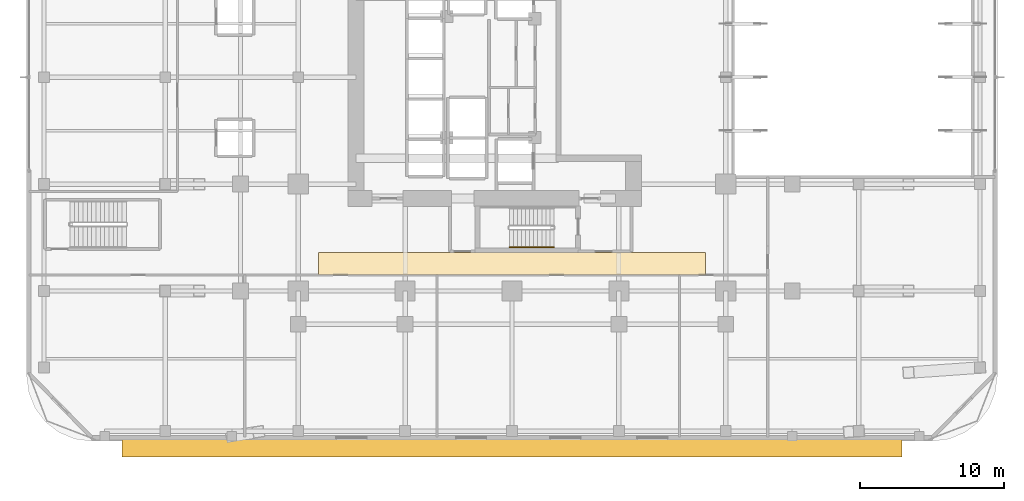
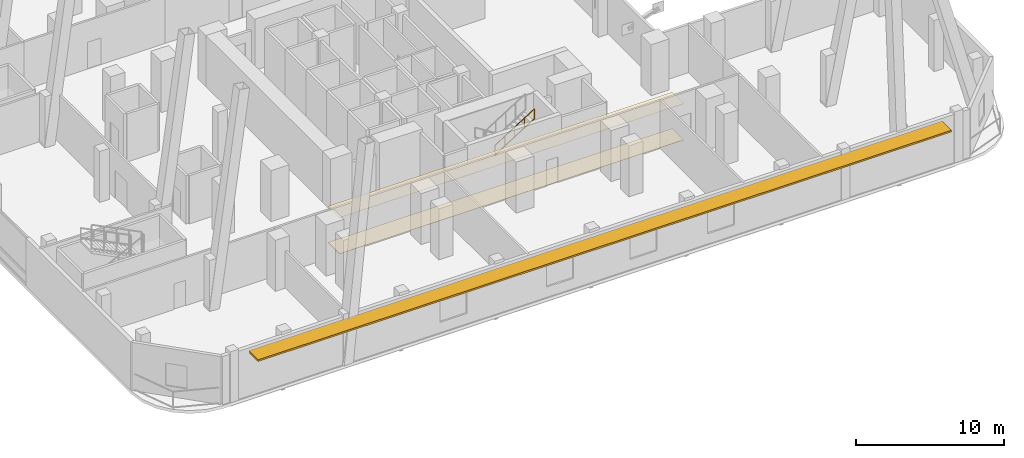
# One storey, part 18 of 23: 2 coverings, 1 railing, 1 shading device.
"""IFC4 building model written with IfcOpenShell, lengths in metres."""

from ifc_helpers import new_model, si_unit, direction, frame, origin, origin_2d, place, context, subcontext, project, spatial, polyline, rectangle, outline, extrude, material, layer, layer_set, type_object, element, save


model = new_model("IFC4")

# Units and contexts
model_context = context("Model", 3, precision=1e-05, world=origin(), true_north=direction((0.0, 1.0)))
body_context = subcontext(model_context, "Body", "Model", "MODEL_VIEW")
ifc_project = project(units=[si_unit("LENGTHUNIT", "METRE"), si_unit("AREAUNIT", "SQUARE_METRE"), si_unit("VOLUMEUNIT", "CUBIC_METRE"), si_unit("PLANEANGLEUNIT", "RADIAN"), si_unit("MASSUNIT", "GRAM", prefix="KILO")], contexts=[model_context])

# Site, building, storey
site_placement = place(None, origin())
site = spatial("IfcSite", under=ifc_project, at=site_placement, CompositionType="ELEMENT")
building_placement = place(site_placement, origin())
building = spatial("IfcBuilding", under=site, at=building_placement, Name="Khorvyn Point Tower", CompositionType="ELEMENT")
storey_placement = place(building_placement, frame((0.0, 0.0, 9.0)))
storey = spatial("IfcBuildingStorey", under=building, at=storey_placement, Name="L03", CompositionType="ELEMENT", Elevation=9.0)

# Shading device
ifc_material_1 = material(Name="Bronze anodised aluminium 6063-T6", Category="aluminium")
ifc_layer_1 = layer(ifc_material_1, 0.139892578125)
ifc_layer_set_1 = layer_set([ifc_layer_1], Name="Anodised Aluminium Horizontal Monsoon Sunshade Canopy")
shading_device_type = type_object("IfcShadingDeviceType", Name="Anodised Aluminium Horizontal Monsoon Sunshade Canopy", PredefinedType="AWNING", material=ifc_layer_set_1)
shading_device_placement = place(storey_placement, frame((0.0, 0.0, 3.5400390625)))
element("IfcShadingDevice", 1, at=shading_device_placement, inside=storey, type_object=shading_device_type, Name="L03 South Classroom Monsoon Sunshade", PredefinedType="AWNING", context=body_context, shape_type="SweptSolid", body=[
    extrude(outline(polyline([(-27.0, -26.280029296875), (27.0, -26.280029296875), (27.0, -25.030029296875), (-27.0, -25.030029296875), (-27.0, -26.280029296875)])), origin(), (0.0, 0.0, 1.0), 0.139892578125),
])

# Coverings
ifc_material_2 = material(Name="Mineral-fibre acoustic ceiling board", Category="gypsum")
ifc_layer_2 = layer(ifc_material_2, 0.02001953125)
ifc_layer_set_2 = layer_set([ifc_layer_2], Name="Perforated Mineral-Fibre Acoustic Suspended Ceiling 20")
covering_type_1 = type_object("IfcCoveringType", Name="Perforated Mineral-Fibre Acoustic Suspended Ceiling 20", PredefinedType="CEILING", material=ifc_layer_set_2)
covering_1_placement = place(storey_placement, frame((0.0, 0.0, 2.97998046875)))
element("IfcCovering", 2, at=covering_1_placement, inside=storey, type_object=covering_type_1, Name="L03 South Corridor Acoustic Ceiling", PredefinedType="CEILING", context=body_context, shape_type="SweptSolid", body=[
    extrude(outline(polyline([(-13.39990234375, -13.7099609375), (13.39990234375, -13.7099609375), (13.39990234375, -12.139892578125), (-13.39990234375, -12.139892578125), (-13.39990234375, -13.7099609375)])), origin(), (0.0, 0.0, 1.0), 0.02001953125),
])
ifc_material_3 = material(Name="Vitrified porcelain terrazzo tile", Category="ceramic")
ifc_layer_3 = layer(ifc_material_3, 0.01806640625)
ifc_layer_set_3 = layer_set([ifc_layer_3], Name="Porcelain Terrazzo Corridor Floor Finish Tile 18")
covering_type_2 = type_object("IfcCoveringType", Name="Porcelain Terrazzo Corridor Floor Finish Tile 18", PredefinedType="FLOORING", material=ifc_layer_set_3)
covering_2_placement = place(storey_placement, origin())
element("IfcCovering", 3, at=covering_2_placement, inside=storey, type_object=covering_type_2, Name="L03 South Corridor Terrazzo Flooring", PredefinedType="FLOORING", context=body_context, shape_type="SweptSolid", body=[
    extrude(outline(polyline([(-13.39990234375, -13.7099609375), (13.39990234375, -13.7099609375), (13.39990234375, -12.139892578125), (-13.39990234375, -12.139892578125), (-13.39990234375, -13.7099609375)])), origin(), (0.0, 0.0, 1.0), 0.01806640625),
])

# Railing
ifc_material_4 = material(Name="Stainless steel 1.4301", Category="steel")
railing_type = type_object("IfcRailingType", Name="Stainless Steel 304 Stair Pitch Handrail 900", PredefinedType="HANDRAIL", material=ifc_material_4)
railing_placement = place(storey_placement, frame((-0.179931640625, -11.77001953125, 2.27490234375)))
element("IfcRailing", 4, at=railing_placement, inside=storey, type_object=railing_type, Name="L03 ST-01 stair handrail 2", PredefinedType="HANDRAIL", context=body_context, shape_type="SweptSolid", body=[
    extrude(rectangle(XDim=0.048095703125, YDim=0.048095703125, at=origin_2d()), frame((0.0, 0.0, 0.8759765625), z_axis=(0.847979421464, 0.0, 0.530029150871), x_axis=(0.0, 1.0, 0.0)), (0.0, 0.0, 1.0), 3.632080078125),
    extrude(rectangle(XDim=0.048095703125, YDim=0.048095703125, at=origin_2d()), frame((0.0, 0.0, 0.080078125), z_axis=(0.847979421464, 0.0, 0.530029150871), x_axis=(0.0, 1.0, 0.0)), (0.0, 0.0, 1.0), 3.632080078125),
    extrude(rectangle(XDim=0.0419921875, YDim=0.0419921875, at=origin_2d()), origin(), (0.0, 0.0, 1.0), 0.851806640625),
    extrude(rectangle(XDim=0.0419921875, YDim=0.0419921875, at=origin_2d()), frame((0.77001953125, 0.0, 0.481201171875)), (0.0, 0.0, 1.0), 0.851806640625),
    extrude(rectangle(XDim=0.0419921875, YDim=0.0419921875, at=origin_2d()), frame((1.5400390625, 0.0, 0.96240234375)), (0.0, 0.0, 1.0), 0.851806640625),
    extrude(rectangle(XDim=0.0419921875, YDim=0.0419921875, at=origin_2d()), frame((2.309814453125, 0.0, 1.44384765625)), (0.0, 0.0, 1.0), 0.851806640625),
    extrude(rectangle(XDim=0.0419921875, YDim=0.0419921875, at=origin_2d()), frame((3.079833984375, 0.0, 1.925048828125)), (0.0, 0.0, 1.0), 0.851806640625),
])

save(model, "model.ifc")
